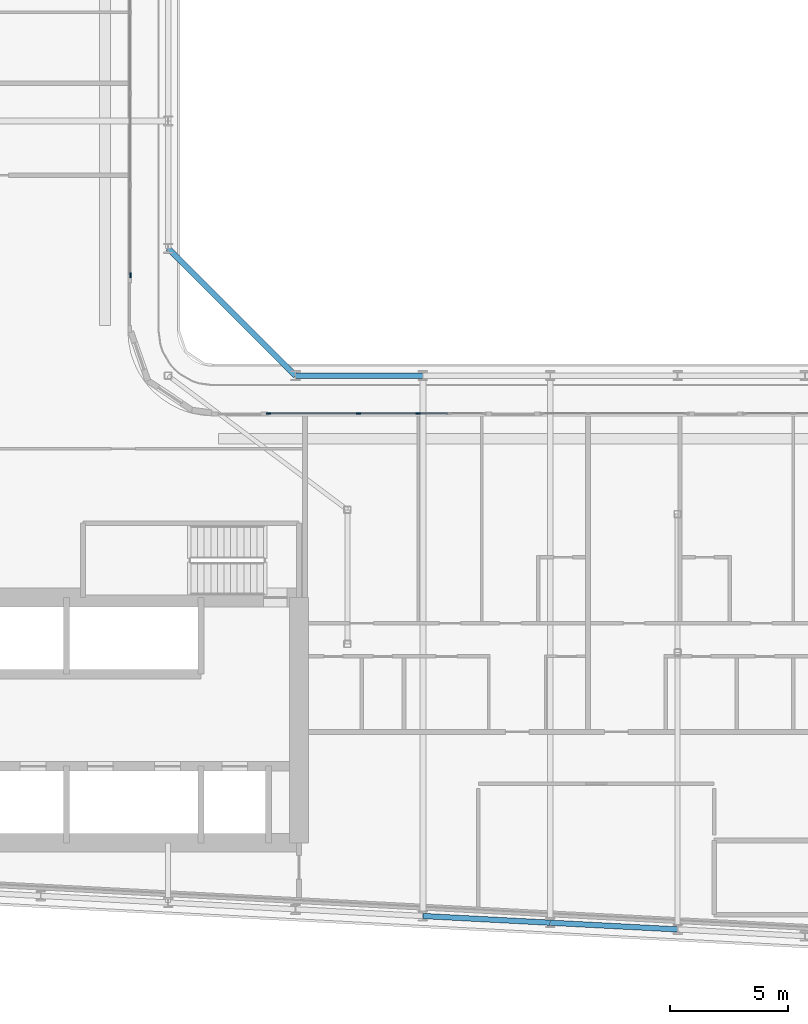
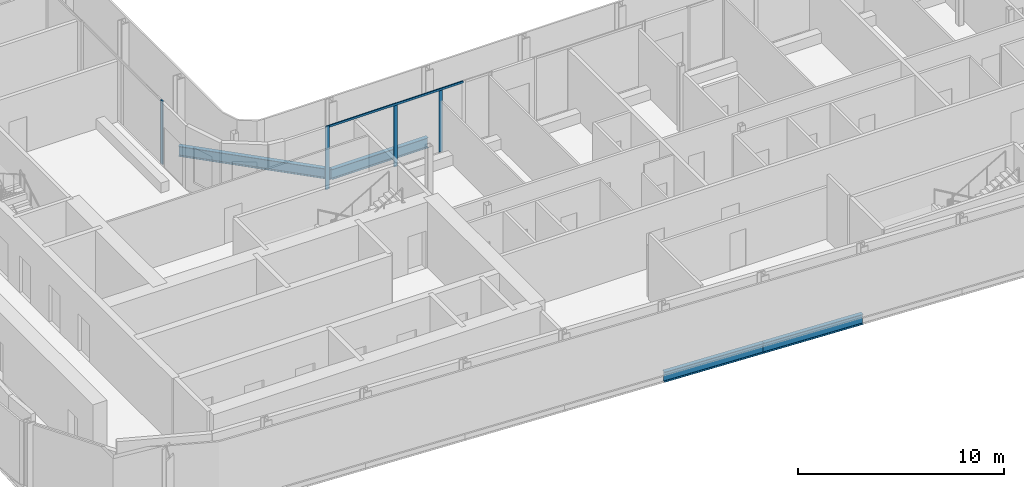
# One storey, part 6 of 28: 5 members, 4 beams, 2 elements without a shape of their own.
"""IFC4 building model written with IfcOpenShell, lengths in metres."""

from ifc_helpers import new_model, si_unit, direction, frame, origin, origin_2d, place, context, subcontext, project, spatial, rectangle, i_section, extrude, material, layer, layer_set, material_profile, profile_set, type_object, element, aggregate, save


model = new_model("IFC4")

# Units and contexts
model_context = context("Model", 3, precision=1e-05, world=origin(), true_north=direction((0.0, 1.0)))
body_context = subcontext(model_context, "Body", "Model", "MODEL_VIEW")
ifc_project = project(units=[si_unit("LENGTHUNIT", "METRE"), si_unit("AREAUNIT", "SQUARE_METRE"), si_unit("VOLUMEUNIT", "CUBIC_METRE"), si_unit("PLANEANGLEUNIT", "RADIAN"), si_unit("MASSUNIT", "GRAM", prefix="KILO")], contexts=[model_context])

# Site, building, storey
site_placement = place(None, origin())
site = spatial("IfcSite", under=ifc_project, at=site_placement, CompositionType="ELEMENT")
building_placement = place(site_placement, origin())
building = spatial("IfcBuilding", under=site, at=building_placement, Name="Kheshtan School and Residences Tower", CompositionType="ELEMENT")
storey_placement = place(building_placement, frame((0.0, 0.0, 191.60009765625)))
storey = spatial("IfcBuildingStorey", under=building, at=storey_placement, Name="L45", CompositionType="ELEMENT", Elevation=191.60009765625)

# Beams
ifc_material_1 = material(Name="Steel ASTM A992 Grade 50", Category="steel")
ifc_material_profile_1 = material_profile(ifc_material_1, i_section(OverallWidth=0.22802734375, OverallDepth=0.60302734375, WebThickness=0.010498046875, FlangeThickness=0.014892578125, FilletRadius=0.013427734375, at=origin_2d()), Name="W610x101")
ifc_profile_set_1 = profile_set([ifc_material_profile_1], Name="Steel ASTM A992 Grade 50")
beam_type = type_object("IfcBeamType", Name="Beam SP2 W610x101 ASTM A992 Grade 50", PredefinedType="BEAM", material=ifc_profile_set_1)
beam_1_placement = place(storey_placement, frame((47.60009765625, 51.0, -0.45166015625), z_axis=(0.707106781187, -0.707106781187, 0.0), x_axis=(0.707106781187, 0.707106781187, 0.0)))
element("IfcBeam", 1, at=beam_1_placement, inside=storey, type_object=beam_type, Name="Spandrel beam C079-C061", PredefinedType="BEAM", context=body_context, shape_type="SweptSolid", body=[
    extrude(i_section(OverallWidth=0.22802734375, OverallDepth=0.60302734375, WebThickness=0.010498046875, FlangeThickness=0.014892578125, FilletRadius=0.013427734375, at=origin_2d()), origin(), (0.0, 0.0, 1.0), 7.63671875),
])
beam_2_placement = place(storey_placement, frame((53.0, 45.60009765625, -0.45166015625), z_axis=(1.0, 0.0, 0.0), x_axis=(0.0, 1.0, 0.0)))
element("IfcBeam", 2, at=beam_2_placement, inside=storey, type_object=beam_type, Name="Spandrel beam C061-C062", PredefinedType="BEAM", context=body_context, shape_type="SweptSolid", body=[
    extrude(i_section(OverallWidth=0.22802734375, OverallDepth=0.60302734375, WebThickness=0.010498046875, FlangeThickness=0.014892578125, FilletRadius=0.013427734375, at=origin_2d()), origin(), (0.0, 0.0, 1.0), 5.39990234375),
])
beam_3_placement = place(storey_placement, frame((69.199951171875, 22.126953125, -0.45166015625), z_axis=(-0.998620447272, 0.05250906864, 0.0), x_axis=(-0.05250906864, -0.998620447272, 0.0)))
element("IfcBeam", 3, at=beam_3_placement, inside=storey, type_object=beam_type, Name="Spandrel beam C014-C016", PredefinedType="BEAM", context=body_context, shape_type="SweptSolid", body=[
    extrude(i_section(OverallWidth=0.22802734375, OverallDepth=0.60302734375, WebThickness=0.010498046875, FlangeThickness=0.014892578125, FilletRadius=0.013427734375, at=origin_2d()), origin(), (0.0, 0.0, 1.0), 5.407470703125),
])
beam_4_placement = place(storey_placement, frame((63.800048828125, 22.410888671875, -0.45166015625), z_axis=(-0.998618203458, 0.052551724256, 0.0), x_axis=(-0.052551724256, -0.998618203458, 0.0)))
element("IfcBeam", 4, at=beam_4_placement, inside=storey, type_object=beam_type, Name="Spandrel beam C016-C018", PredefinedType="BEAM", context=body_context, shape_type="SweptSolid", body=[
    extrude(i_section(OverallWidth=0.22802734375, OverallDepth=0.60302734375, WebThickness=0.010498046875, FlangeThickness=0.014892578125, FilletRadius=0.013427734375, at=origin_2d()), origin(), (0.0, 0.0, 1.0), 5.40771484375),
])

# Curtain wall, member
ifc_material_2 = material(Name="Clear low-e glass in thermally broken aluminium frame", Category="aluminium")
ifc_layer = layer(ifc_material_2, 0.199951171875)
ifc_layer_set = layer_set([ifc_layer], Name="Curtain wall CW-L")
curtain_wall_type = type_object("IfcCurtainWallType", Name="Curtain wall CW-L", PredefinedType="NOTDEFINED", material=ifc_layer_set)
curtain_wall_1_placement = place(storey_placement, origin())
curtain_wall_1 = element("IfcCurtainWall", 5, at=curtain_wall_1_placement, inside=storey, type_object=curtain_wall_type, Name="Curtain wall CWL8", PredefinedType="NOTDEFINED")
ifc_material_3 = material(Name="Thermally broken aluminium, dark bronze anodised", Category="aluminium")
ifc_material_profile_2 = material_profile(ifc_material_3, rectangle(XDim=0.06005859375, YDim=0.199951171875, at=origin_2d()), Name="CW-L mullion 60x200")
ifc_profile_set_2 = profile_set([ifc_material_profile_2], Name="Thermally broken aluminium, dark bronze anodised")
member_type_1 = type_object("IfcMemberType", Name="CW-L mullion 60x200", PredefinedType="MULLION", material=ifc_profile_set_2)
member_1_placement = place(storey_placement, frame((46.0, 49.860107421875, 0.0), z_axis=(0.0, 0.0, 1.0), x_axis=(1.0, 0.0, 0.0)))
member_1 = element("IfcMember", 6, at=member_1_placement, type_object=member_type_1, Name="CWL8 mullion 3", PredefinedType="MULLION", context=body_context, shape_type="SweptSolid", body=[
    extrude(rectangle(XDim=0.06005859375, YDim=0.199951171875, at=origin_2d()), origin(), (0.0, 0.0, 1.0), 3.75),
])
aggregate(curtain_wall_1, [member_1])

# Curtain wall, members
curtain_wall_2_placement = place(storey_placement, origin())
curtain_wall_2 = element("IfcCurtainWall", 7, at=curtain_wall_2_placement, inside=storey, type_object=curtain_wall_type, Name="Curtain wall CWL12k", PredefinedType="NOTDEFINED")
member_2_placement = place(storey_placement, frame((51.860107421875, 44.0, 0.0), z_axis=(0.0, 0.0, 1.0), x_axis=(0.0, 1.0, 0.0)))
member_2 = element("IfcMember", 8, at=member_2_placement, type_object=member_type_1, Name="CWL12k mullion 1", PredefinedType="MULLION", context=body_context, shape_type="SweptSolid", body=[
    extrude(rectangle(XDim=0.06005859375, YDim=0.199951171875, at=origin_2d()), origin(), (0.0, 0.0, 1.0), 3.75),
])
member_3_placement = place(storey_placement, frame((55.677001953125, 44.0, 0.0), z_axis=(0.0, 0.0, 1.0), x_axis=(0.0, 1.0, 0.0)))
member_3 = element("IfcMember", 9, at=member_3_placement, type_object=member_type_1, Name="CWL12k mullion 2", PredefinedType="MULLION", context=body_context, shape_type="SweptSolid", body=[
    extrude(rectangle(XDim=0.06005859375, YDim=0.199951171875, at=origin_2d()), origin(), (0.0, 0.0, 1.0), 3.6298828125),
])
member_4_placement = place(storey_placement, frame((58.199951171875, 44.0, 0.0), z_axis=(0.0, 0.0, 1.0), x_axis=(0.0, 1.0, 0.0)))
member_4 = element("IfcMember", 10, at=member_4_placement, type_object=member_type_1, Name="CWL12k mullion 3", PredefinedType="MULLION", context=body_context, shape_type="SweptSolid", body=[
    extrude(rectangle(XDim=0.06005859375, YDim=0.199951171875, at=origin_2d()), origin(), (0.0, 0.0, 1.0), 3.6298828125),
])
ifc_material_profile_3 = material_profile(ifc_material_3, rectangle(XDim=0.06005859375, YDim=0.1201171875, at=origin_2d()), Name="CW-L transom 60x120")
ifc_profile_set_3 = profile_set([ifc_material_profile_3], Name="Thermally broken aluminium, dark bronze anodised")
member_type_2 = type_object("IfcMemberType", Name="CW-L transom 60x120", PredefinedType="USERDEFINED", material=ifc_profile_set_3)
member_5_placement = place(storey_placement, frame((51.889892578125, 44.0, 3.68994140625), z_axis=(1.0, 0.0, 0.0), x_axis=(0.0, 1.0, 0.0)))
member_5 = element("IfcMember", 11, at=member_5_placement, type_object=member_type_2, Name="CWL12k transom 1", ObjectType="TRANSOM", PredefinedType="USERDEFINED", context=body_context, shape_type="SweptSolid", body=[
    extrude(rectangle(XDim=0.06005859375, YDim=0.1201171875, at=origin_2d()), origin(), (0.0, 0.0, 1.0), 7.57421875),
])
aggregate(curtain_wall_2, [member_2, member_3, member_4, member_5])

save(model, "model.ifc")
